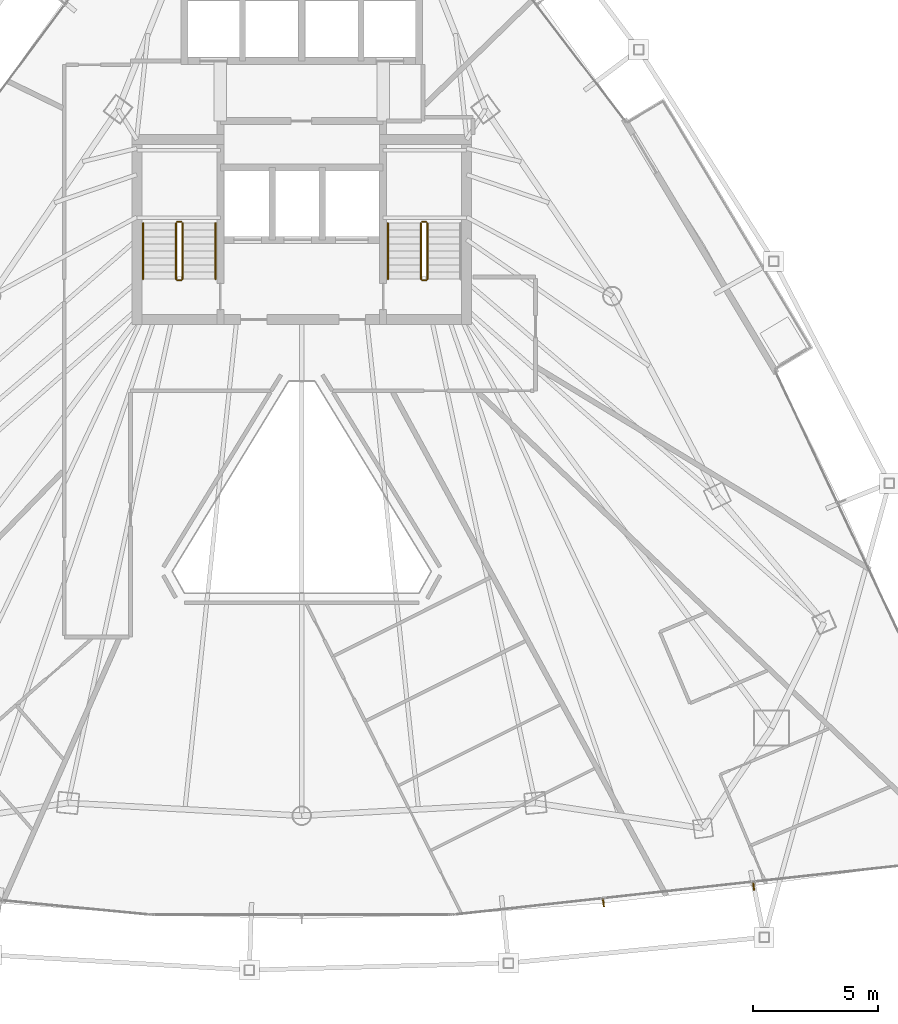
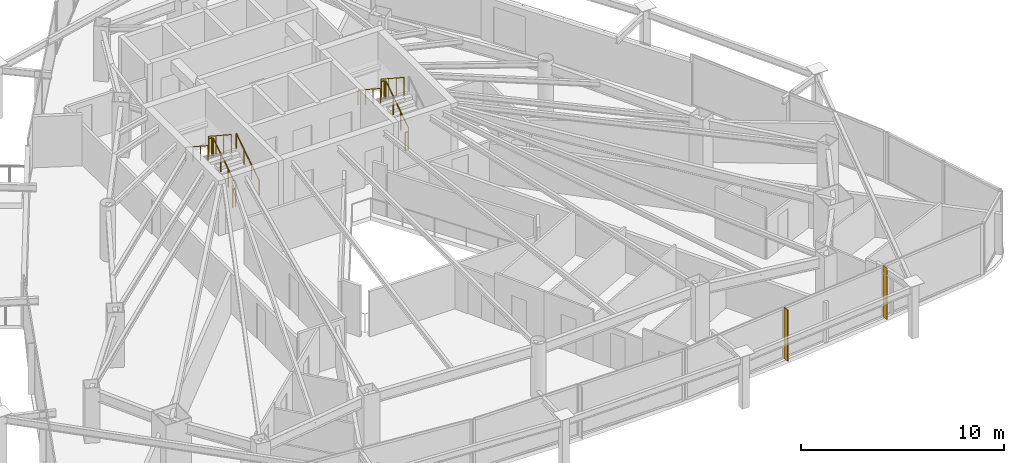
# One storey, part 30 of 31: 11 railings, 2 shading devices.
"""IFC4 building model written with IfcOpenShell, lengths in metres."""

import ifcopenshell
import ifcopenshell.guid

model = None  # the IFC model being written
_history = None  # IfcOwnerHistory: only IFC2X3 demands one
_inside = {}  # id of a spatial element -> (the spatial element, [elements in it])
_under = {}  # id of a project, library or spatial element -> (it, [spatial elements below it])
_declared = {}  # id of a project -> (the project, [libraries it declares])
_typed = {}  # id of a type object -> (the type object, [elements of that type])
_made_of = {}  # id of a material, layer set ... -> (it, [elements and type objects made of it])


def new_model(schema):
    """Start an empty IFC model of exactly this schema.

    Asked for "IFC4X3", IfcOpenShell would pick the latest addendum, in which some entities
    have other attributes; the version numbers below select the first issue.
    IFC2X3 requires an IfcOwnerHistory on every rooted entity: one is made here for all.
    """
    global model, _history
    if schema == "IFC4X3":
        model = ifcopenshell.file(schema_version=(4, 3, 0, 0))
    else:
        model = ifcopenshell.file(schema=schema)
    _inside.clear()
    _under.clear()
    _declared.clear()
    _typed.clear()
    _made_of.clear()
    _history = None
    if model.schema == "IFC2X3":
        org = make("IfcOrganization", Name="unknown")
        user = make(
            "IfcPersonAndOrganization",
            ThePerson=make("IfcPerson", FamilyName="unknown"),
            TheOrganization=org,
        )
        app = make(
            "IfcApplication",
            ApplicationDeveloper=org,
            Version="unknown",
            ApplicationFullName="unknown",
            ApplicationIdentifier="unknown",
        )
        _history = make(
            "IfcOwnerHistory",
            OwningUser=user,
            OwningApplication=app,
            ChangeAction="ADDED",
            CreationDate=0,
        )
    return model


def make(cls, **values):
    """One entity of the class cls with the attributes given. An attribute that is None is left unset."""
    return model.create_entity(
        cls, **{name: value for name, value in values.items() if value is not None}
    )


def rooted(cls, **values):
    """An entity with a GlobalId (a new one), such as an element, a storey or a relation."""
    return make(cls, GlobalId=ifcopenshell.guid.new(), OwnerHistory=_history, **values)


def si_unit(unit_type, name, prefix=None):
    """IfcSIUnit, for example si_unit("LENGTHUNIT", "METRE", prefix="MILLI")."""
    return make("IfcSIUnit", UnitType=unit_type, Prefix=prefix, Name=name)


def assignment(units):
    """IfcUnitAssignment: the units of a project."""
    return None if units is None else make("IfcUnitAssignment", Units=units)


def point(xyz):
    """IfcCartesianPoint."""
    return None if xyz is None else make("IfcCartesianPoint", Coordinates=xyz)


def direction(xyz):
    """IfcDirection."""
    return None if xyz is None else make("IfcDirection", DirectionRatios=xyz)


def frame(location, z_axis=None, x_axis=None):
    """IfcAxis2Placement3D, a coordinate frame: its origin and axes. An axis left out is left unset."""
    return make(
        "IfcAxis2Placement3D",
        Location=point(location),
        Axis=direction(z_axis),
        RefDirection=direction(x_axis),
    )


def frame_2d(location, x_axis=None):
    """IfcAxis2Placement2D, a coordinate frame in the plane: its origin and x axis."""
    return make(
        "IfcAxis2Placement2D", Location=point(location), RefDirection=direction(x_axis)
    )


def origin():
    """The frame at (0, 0, 0) with its axes left unset."""
    return frame((0.0, 0.0, 0.0))


def origin_2d():
    """The frame at (0, 0) in the plane with its x axis left unset."""
    return frame_2d((0.0, 0.0))


def place(relative_to, where):
    """IfcLocalPlacement: puts the frame where relative to a parent placement (None: the world)."""
    return make(
        "IfcLocalPlacement", PlacementRelTo=relative_to, RelativePlacement=where
    )


def context(
    kind, dimensions, precision=None, world=None, true_north=None, identifier=None
):
    """IfcGeometricRepresentationContext, for example the 3D "Model" context."""
    return make(
        "IfcGeometricRepresentationContext",
        ContextIdentifier=identifier,
        ContextType=kind,
        CoordinateSpaceDimension=dimensions,
        Precision=precision,
        WorldCoordinateSystem=world,
        TrueNorth=true_north,
    )


def subcontext(parent, identifier, kind, view, scale=None):
    """IfcGeometricRepresentationSubContext, for example "Body" below "Model"."""
    return make(
        "IfcGeometricRepresentationSubContext",
        ContextIdentifier=identifier,
        ContextType=kind,
        ParentContext=parent,
        TargetScale=scale,
        TargetView=view,
    )


def project(units=None, contexts=None):
    """IfcProject with its units and contexts."""
    return rooted(
        "IfcProject",
        Name="project",
        RepresentationContexts=contexts,
        UnitsInContext=assignment(units),
    )


def spatial(cls, under=None, at=None, **own):
    """A site, building, storey or space (cls), placed at a placement, below another one or the project."""
    s = rooted(cls, ObjectPlacement=at, **own)
    if under is not None:
        _under.setdefault(under.id(), (under, []))[1].append(s)
    return s


def profile(cls, at=None, kind="AREA", **sizes):
    """A parametric profile (cls). Its sizes go by their IFC names, for example OverallWidth=200.0."""
    return make(cls, ProfileType=kind, Position=at, **sizes)


def rectangle(**sizes):
    """IfcRectangleProfileDef."""
    return profile("IfcRectangleProfileDef", **sizes)


def circle(**sizes):
    """IfcCircleProfileDef."""
    return profile("IfcCircleProfileDef", **sizes)


def extrude(swept, where, along, depth):
    """IfcExtrudedAreaSolid: the profile swept, set in the frame where, extruded along a direction by depth."""
    return make(
        "IfcExtrudedAreaSolid",
        SweptArea=swept,
        Position=where,
        ExtrudedDirection=direction(along),
        Depth=depth,
    )


def shape(context_of_items, identifier, shape_type, items):
    """IfcShapeRepresentation: the items that make up one representation, for example the "Body"."""
    return make(
        "IfcShapeRepresentation",
        ContextOfItems=context_of_items,
        RepresentationIdentifier=identifier,
        RepresentationType=shape_type,
        Items=items,
    )


def material(Name=None, Category=None):
    """IfcMaterial."""
    return make("IfcMaterial", Name=Name, Category=Category)


def layer(
    of_material, thickness, ventilated=None, Name=None, Category=None, Priority=None
):
    """IfcMaterialLayer: one layer of a wall or slab, of a material (None: an air gap)."""
    return make(
        "IfcMaterialLayer",
        Material=of_material,
        LayerThickness=thickness,
        IsVentilated=ventilated,
        Name=Name,
        Category=Category,
        Priority=Priority,
    )


def layer_set(layers, Name=None):
    """IfcMaterialLayerSet."""
    return make("IfcMaterialLayerSet", MaterialLayers=layers, LayerSetName=Name)


def made_of(thing, what):
    """Note that an element or type object is made of a material, layer set ...; save() writes the relation."""
    if what is not None:
        _made_of.setdefault(what.id(), (what, []))[1].append(thing)
    return thing


def type_object(cls, material=None, **own):
    """A type object (cls), such as IfcWallType, which elements share."""
    return made_of(rooted(cls, **own), material)


def element(
    cls,
    number,
    at=None,
    inside=None,
    cuts=None,
    type_object=None,
    material=None,
    context=None,
    identifier="Body",
    shape_type=None,
    held_by="IfcProductDefinitionShape",
    body=None,
    shapes=None,
    **own,
):
    """One element of the class cls, such as IfcWall. Its Tag is "e" and its number.

    at: its placement. inside: the storey or other place that contains it. cuts: it is an
    opening in that element (IfcRelVoidsElement). A single representation is given by context,
    identifier, shape_type and body (its items); several are given by shapes. held_by: the class
    of the entity that holds the representations. save() writes the other relations.
    """
    e = rooted(cls, Tag="e%d" % number, ObjectPlacement=at, **own)
    if body is not None:
        shapes = [shape(context, identifier, shape_type, body)]
    if shapes is not None:
        e.Representation = make(held_by, Representations=shapes)
    if inside is not None:
        _inside.setdefault(inside.id(), (inside, []))[1].append(e)
    if cuts is not None:
        rooted(
            "IfcRelVoidsElement", RelatingBuildingElement=cuts, RelatedOpeningElement=e
        )
    if type_object is not None:
        _typed.setdefault(type_object.id(), (type_object, []))[1].append(e)
    return made_of(e, material)


def aggregate(whole, parts):
    """IfcRelAggregates: a whole, such as a stair, and the parts it consists of."""
    return rooted("IfcRelAggregates", RelatingObject=whole, RelatedObjects=parts)


def save(model, path):
    """Write the relations noted so far, then the file.

    IfcRelAggregates (storeys below a building ...), IfcRelContainedInSpatialStructure (elements
    in a storey), IfcRelDefinesByType, IfcRelAssociatesMaterial and IfcRelDeclares: one each for
    every whole, place, type object, material and project.
    """
    for whole, parts in _under.values():
        aggregate(whole, parts)
    for where, things in _inside.values():
        rooted(
            "IfcRelContainedInSpatialStructure",
            RelatedElements=things,
            RelatingStructure=where,
        )
    for kind, things in _typed.values():
        rooted("IfcRelDefinesByType", RelatedObjects=things, RelatingType=kind)
    for what, things in _made_of.values():
        rooted("IfcRelAssociatesMaterial", RelatedObjects=things, RelatingMaterial=what)
    for by, libraries in _declared.values():
        rooted("IfcRelDeclares", RelatingContext=by, RelatedDefinitions=libraries)
    model.write(path)


model = new_model("IFC4")

# Units and contexts
model_context = context("Model", 3, precision=1e-05, world=origin(), true_north=direction((0.0, 1.0)))
body_context = subcontext(model_context, "Body", "Model", "MODEL_VIEW")
ifc_project = project(units=[si_unit("LENGTHUNIT", "METRE"), si_unit("AREAUNIT", "SQUARE_METRE"), si_unit("VOLUMEUNIT", "CUBIC_METRE"), si_unit("PLANEANGLEUNIT", "RADIAN"), si_unit("MASSUNIT", "GRAM", prefix="KILO")], contexts=[model_context])

# Site, building, storey
site_placement = place(None, origin())
site = spatial("IfcSite", under=ifc_project, at=site_placement, CompositionType="ELEMENT")
building_placement = place(site_placement, origin())
building = spatial("IfcBuilding", under=site, at=building_placement, Name="Orvanel Arch Residences", CompositionType="ELEMENT")
storey_placement = place(building_placement, frame((0.0, 0.0, 113.300048828125)))
storey = spatial("IfcBuildingStorey", under=building, at=storey_placement, Name="L31", CompositionType="ELEMENT", Elevation=113.300048828125)

# Shading devices
ifc_material_1 = material(Name="Bronze-anodised aluminium AA6063-T6", Category="aluminium")
ifc_layer = layer(ifc_material_1, 0.054931640625)
ifc_layer_set = layer_set([ifc_layer], Name="Bronze-anodised aluminium AA6063-T6")
shading_device_type = type_object("IfcShadingDeviceType", Name="FIN-BRZ-320", PredefinedType="USERDEFINED", material=ifc_layer_set)
for number, where, z_axis, x_axis, name in (
    (1, (45.073974609375, 3.35498046875, 0.0), (0.0, 0.0, 1.0), (0.109734311091, -0.993960955455, 0.0), "L31 Anodised Bronze Mullion FIN 01"),
    (2, (51.083984375, 4.014892578125, 0.0), (0.0, 0.0, 1.0), (0.109734311091, -0.993960955455, 0.0), "L31 Anodised Bronze Mullion FIN 02"),
):
    element("IfcShadingDevice", number, at=place(storey_placement, frame(where, z_axis=z_axis, x_axis=x_axis)), inside=storey, type_object=shading_device_type, Name=name, ObjectType="FIN", PredefinedType="USERDEFINED", context=body_context, shape_type="SweptSolid", body=[
        extrude(rectangle(XDim=0.320068359375, YDim=0.054931640625, at=origin_2d()), origin(), (0.0, 0.0, 1.0), 3.06005859375),
    ])

# Railings
ifc_material_2 = material(Name="Structural steel AS/NZS 1163 C350L0 (Grade 350)", Category="steel")
railing_type_1 = type_object("IfcRailingType", Name="RL-STAIR-GUARD", PredefinedType="GUARDRAIL", material=ifc_material_2)
railing_1_placement = place(storey_placement, frame((28.22998046875, 28.320068359375, 0.183349609375)))
element("IfcRailing", 3, at=railing_1_placement, inside=storey, type_object=railing_type_1, Name="L31 ST-1 stair guard 1", PredefinedType="GUARDRAIL", context=body_context, shape_type="SweptSolid", body=[
    extrude(circle(Radius=0.02392578125, at=origin_2d()), frame((0.0, 0.001220703125, 1.076904296875), z_axis=(0.0, 0.836636935527, 0.547757827979), x_axis=(-1.0, 0.0, 0.0)), (0.0, 0.0, 1.0), 2.67431640625),
    extrude(circle(Radius=0.02099609375, at=origin_2d()), origin(), (0.0, 0.0, 1.0), 1.050048828125),
    extrude(circle(Radius=0.02099609375, at=origin_2d()), frame((0.0, 0.74658203125, 0.48876953125)), (0.0, 0.0, 1.0), 1.050048828125),
    extrude(circle(Radius=0.02099609375, at=origin_2d()), frame((0.0, 1.493408203125, 0.977783203125)), (0.0, 0.0, 1.0), 1.050048828125),
    extrude(circle(Radius=0.02099609375, at=origin_2d()), frame((0.0, 2.239990234375, 1.466552734375)), (0.0, 0.0, 1.0), 1.050048828125),
])
railing_2_placement = place(storey_placement, frame((28.179931640625, 30.610107421875, 1.64990234375)))
element("IfcRailing", 4, at=railing_2_placement, inside=storey, type_object=railing_type_1, Name="L31 ST-1 stair guard 2", PredefinedType="GUARDRAIL", context=body_context, shape_type="SweptSolid", body=[
    extrude(circle(Radius=0.02392578125, at=origin_2d()), frame((-0.00146484375, 0.0, 1.076171875), z_axis=(-1.0, 0.0, 0.0), x_axis=(0.0, -1.0, 0.0)), (0.0, 0.0, 1.0), 0.156982421875),
    extrude(circle(Radius=0.02099609375, at=origin_2d()), origin(), (0.0, 0.0, 1.0), 1.050048828125),
    extrude(circle(Radius=0.02099609375, at=origin_2d()), frame((-0.159912109375, 0.0, 0.0)), (0.0, 0.0, 1.0), 1.050048828125),
])
railing_3_placement = place(storey_placement, frame((27.969970703125, 30.56005859375, 1.833251953125)))
element("IfcRailing", 5, at=railing_3_placement, inside=storey, type_object=railing_type_1, Name="L31 ST-1 stair guard 3", PredefinedType="GUARDRAIL", context=body_context, shape_type="SweptSolid", body=[
    extrude(circle(Radius=0.02392578125, at=origin_2d()), frame((0.0, -0.001220703125, 1.076904296875), z_axis=(0.0, -0.836595146698, 0.547821650285), x_axis=(1.0, 0.0, 0.0)), (0.0, 0.0, 1.0), 2.674560546875),
    extrude(circle(Radius=0.02099609375, at=origin_2d()), origin(), (0.0, 0.0, 1.0), 1.050048828125),
    extrude(circle(Radius=0.02099609375, at=origin_2d()), frame((0.0, -0.74658203125, 0.489013671875)), (0.0, 0.0, 1.0), 1.050048828125),
    extrude(circle(Radius=0.02099609375, at=origin_2d()), frame((0.0, -1.493408203125, 0.977783203125)), (0.0, 0.0, 1.0), 1.050048828125),
    extrude(circle(Radius=0.02099609375, at=origin_2d()), frame((0.0, -2.239990234375, 1.466796875)), (0.0, 0.0, 1.0), 1.050048828125),
])
railing_4_placement = place(storey_placement, frame((28.179931640625, 28.27001953125, 0.0)))
element("IfcRailing", 6, at=railing_4_placement, inside=storey, type_object=railing_type_1, Name="L31 ST-1 stair guard 4", PredefinedType="GUARDRAIL", context=body_context, shape_type="SweptSolid", body=[
    extrude(circle(Radius=0.02392578125, at=origin_2d()), frame((-0.00146484375, 0.0, 1.076171875), z_axis=(-1.0, 0.0, 0.0), x_axis=(0.0, -1.0, 0.0)), (0.0, 0.0, 1.0), 0.156982421875),
    extrude(circle(Radius=0.02099609375, at=origin_2d()), origin(), (0.0, 0.0, 1.0), 1.050048828125),
    extrude(circle(Radius=0.02099609375, at=origin_2d()), frame((-0.159912109375, 0.0, 0.0)), (0.0, 0.0, 1.0), 1.050048828125),
])
railing_5_placement = place(storey_placement, frame((38.030029296875, 28.320068359375, 0.183349609375)))
element("IfcRailing", 7, at=railing_5_placement, inside=storey, type_object=railing_type_1, Name="L31 ST-2 stair guard 1", PredefinedType="GUARDRAIL", context=body_context, shape_type="SweptSolid", body=[
    extrude(circle(Radius=0.02392578125, at=origin_2d()), frame((0.0, 0.001220703125, 1.076904296875), z_axis=(0.0, 0.836636935527, 0.547757827979), x_axis=(-1.0, 0.0, 0.0)), (0.0, 0.0, 1.0), 2.67431640625),
    extrude(circle(Radius=0.02099609375, at=origin_2d()), origin(), (0.0, 0.0, 1.0), 1.050048828125),
    extrude(circle(Radius=0.02099609375, at=origin_2d()), frame((0.0, 0.74658203125, 0.48876953125)), (0.0, 0.0, 1.0), 1.050048828125),
    extrude(circle(Radius=0.02099609375, at=origin_2d()), frame((0.0, 1.493408203125, 0.977783203125)), (0.0, 0.0, 1.0), 1.050048828125),
    extrude(circle(Radius=0.02099609375, at=origin_2d()), frame((0.0, 2.239990234375, 1.466552734375)), (0.0, 0.0, 1.0), 1.050048828125),
])
railing_6_placement = place(storey_placement, frame((37.97998046875, 30.610107421875, 1.64990234375)))
element("IfcRailing", 8, at=railing_6_placement, inside=storey, type_object=railing_type_1, Name="L31 ST-2 stair guard 2", PredefinedType="GUARDRAIL", context=body_context, shape_type="SweptSolid", body=[
    extrude(circle(Radius=0.02392578125, at=origin_2d()), frame((-0.00146484375, 0.0, 1.076171875), z_axis=(-1.0, 0.0, 0.0), x_axis=(0.0, -1.0, 0.0)), (0.0, 0.0, 1.0), 0.156982421875),
    extrude(circle(Radius=0.02099609375, at=origin_2d()), origin(), (0.0, 0.0, 1.0), 1.050048828125),
    extrude(circle(Radius=0.02099609375, at=origin_2d()), frame((-0.159912109375, 0.0, 0.0)), (0.0, 0.0, 1.0), 1.050048828125),
])
railing_7_placement = place(storey_placement, frame((37.77001953125, 30.56005859375, 1.833251953125)))
element("IfcRailing", 9, at=railing_7_placement, inside=storey, type_object=railing_type_1, Name="L31 ST-2 stair guard 3", PredefinedType="GUARDRAIL", context=body_context, shape_type="SweptSolid", body=[
    extrude(circle(Radius=0.02392578125, at=origin_2d()), frame((0.0, -0.001220703125, 1.076904296875), z_axis=(0.0, -0.836595146698, 0.547821650285), x_axis=(1.0, 0.0, 0.0)), (0.0, 0.0, 1.0), 2.674560546875),
    extrude(circle(Radius=0.02099609375, at=origin_2d()), origin(), (0.0, 0.0, 1.0), 1.050048828125),
    extrude(circle(Radius=0.02099609375, at=origin_2d()), frame((0.0, -0.74658203125, 0.489013671875)), (0.0, 0.0, 1.0), 1.050048828125),
    extrude(circle(Radius=0.02099609375, at=origin_2d()), frame((0.0, -1.493408203125, 0.977783203125)), (0.0, 0.0, 1.0), 1.050048828125),
    extrude(circle(Radius=0.02099609375, at=origin_2d()), frame((0.0, -2.239990234375, 1.466796875)), (0.0, 0.0, 1.0), 1.050048828125),
])
railing_8_placement = place(storey_placement, frame((37.97998046875, 28.27001953125, 0.0)))
element("IfcRailing", 10, at=railing_8_placement, inside=storey, type_object=railing_type_1, Name="L31 ST-2 stair guard 4", PredefinedType="GUARDRAIL", context=body_context, shape_type="SweptSolid", body=[
    extrude(circle(Radius=0.02392578125, at=origin_2d()), frame((-0.00146484375, 0.0, 1.076171875), z_axis=(-1.0, 0.0, 0.0), x_axis=(0.0, -1.0, 0.0)), (0.0, 0.0, 1.0), 0.156982421875),
    extrude(circle(Radius=0.02099609375, at=origin_2d()), origin(), (0.0, 0.0, 1.0), 1.050048828125),
    extrude(circle(Radius=0.02099609375, at=origin_2d()), frame((-0.159912109375, 0.0, 0.0)), (0.0, 0.0, 1.0), 1.050048828125),
])
railing_type_2 = type_object("IfcRailingType", Name="RL-STAIR-HAND", PredefinedType="HANDRAIL", material=ifc_material_2)
railing_9_placement = place(storey_placement, frame((29.550048828125, 28.320068359375, 0.183349609375)))
element("IfcRailing", 11, at=railing_9_placement, inside=storey, type_object=railing_type_2, Name="L31 ST-1 stair handrail 1", PredefinedType="HANDRAIL", context=body_context, shape_type="SweptSolid", body=[
    extrude(circle(Radius=0.02392578125, at=origin_2d()), frame((0.0, 0.001220703125, 0.876708984375), z_axis=(0.0, 0.836636935527, 0.547757827979), x_axis=(-1.0, 0.0, 0.0)), (0.0, 0.0, 1.0), 2.67431640625),
    extrude(circle(Radius=0.02099609375, at=origin_2d()), origin(), (0.0, 0.0, 1.0), 0.849853515625),
    extrude(circle(Radius=0.02099609375, at=origin_2d()), frame((0.0, 0.74658203125, 0.48876953125)), (0.0, 0.0, 1.0), 0.849853515625),
    extrude(circle(Radius=0.02099609375, at=origin_2d()), frame((0.0, 1.493408203125, 0.977783203125)), (0.0, 0.0, 1.0), 0.849853515625),
    extrude(circle(Radius=0.02099609375, at=origin_2d()), frame((0.0, 2.239990234375, 1.466552734375)), (0.0, 0.0, 1.0), 0.849853515625),
])
for number, where, name in (
    (12, (26.64990234375, 30.56005859375, 1.833251953125), "L31 ST-1 stair handrail 2"),
    (13, (36.449951171875, 30.56005859375, 1.833251953125), "L31 ST-2 stair handrail 2"),
):
    element("IfcRailing", number, at=place(storey_placement, frame(where)), inside=storey, type_object=railing_type_2, Name=name, PredefinedType="HANDRAIL", context=body_context, shape_type="SweptSolid", body=[
        extrude(circle(Radius=0.02392578125, at=origin_2d()), frame((0.0, -0.001220703125, 0.876708984375), z_axis=(0.0, -0.836595146698, 0.547821650285), x_axis=(1.0, 0.0, 0.0)), (0.0, 0.0, 1.0), 2.674560546875),
        extrude(circle(Radius=0.02099609375, at=origin_2d()), origin(), (0.0, 0.0, 1.0), 0.849853515625),
        extrude(circle(Radius=0.02099609375, at=origin_2d()), frame((0.0, -0.74658203125, 0.489013671875)), (0.0, 0.0, 1.0), 0.849853515625),
        extrude(circle(Radius=0.02099609375, at=origin_2d()), frame((0.0, -1.493408203125, 0.977783203125)), (0.0, 0.0, 1.0), 0.849853515625),
        extrude(circle(Radius=0.02099609375, at=origin_2d()), frame((0.0, -2.239990234375, 1.466796875)), (0.0, 0.0, 1.0), 0.849853515625),
    ])

save(model, "model.ifc")
